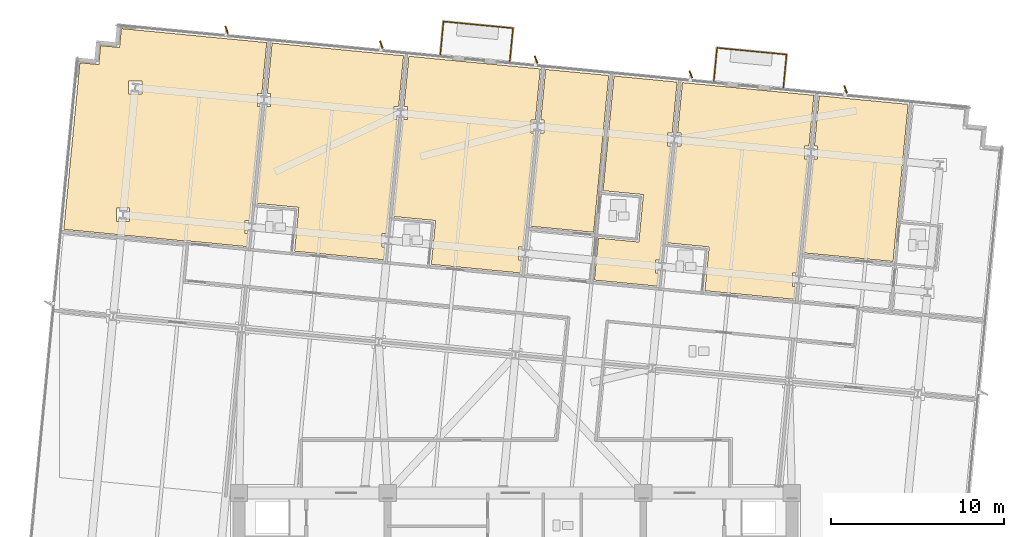
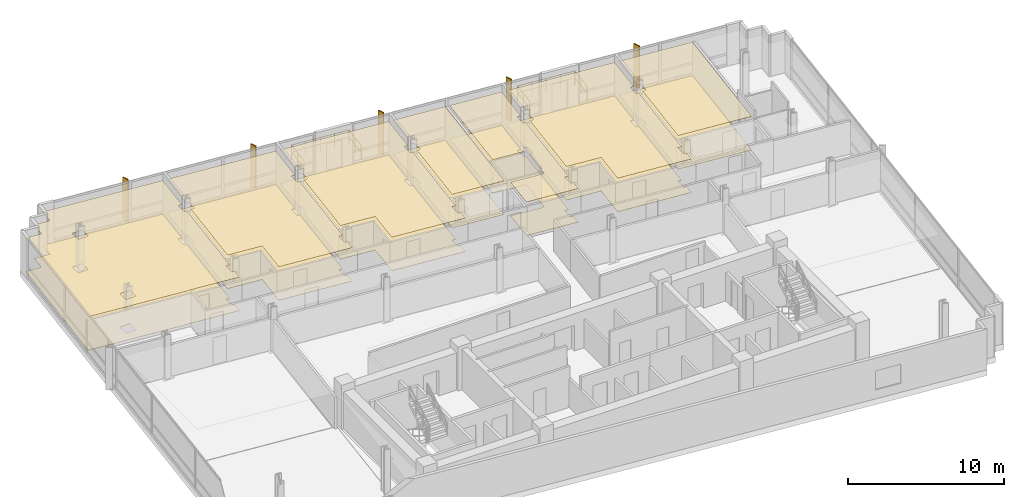
# One storey, part 17 of 18: 14 coverings, 6 railings, 5 shading devices.
"""IFC4 building model written with IfcOpenShell, lengths in metres."""

from ifc_helpers import new_model, si_unit, direction, frame, origin, origin_2d, place, context, subcontext, project, spatial, polyline, rectangle, circle, outline, extrude, material, layer, layer_set, type_object, element, save


model = new_model("IFC4")

# Units and contexts
model_context = context("Model", 3, precision=1e-05, world=origin(), true_north=direction((0.0, 1.0)))
body_context = subcontext(model_context, "Body", "Model", "MODEL_VIEW")
ifc_project = project(units=[si_unit("LENGTHUNIT", "METRE"), si_unit("AREAUNIT", "SQUARE_METRE"), si_unit("VOLUMEUNIT", "CUBIC_METRE"), si_unit("PLANEANGLEUNIT", "RADIAN"), si_unit("MASSUNIT", "GRAM", prefix="KILO")], contexts=[model_context])

# Site, building, storey
site_placement = place(None, origin())
site = spatial("IfcSite", under=ifc_project, at=site_placement, CompositionType="ELEMENT")
building_placement = place(site_placement, origin())
building = spatial("IfcBuilding", under=site, at=building_placement, Name="Solmavex Isthmus Hotel", CompositionType="ELEMENT")
storey_placement = place(building_placement, frame((0.0, 0.0, 135.89990234375)))
storey = spatial("IfcBuildingStorey", under=building, at=storey_placement, Name="L36", CompositionType="ELEMENT", Elevation=135.89990234375)

# Coverings
ifc_material_1 = material(Name="Gypsum plasterboard lining", Category="gypsum")
ifc_layer_1 = layer(ifc_material_1, 0.030029296875)
ifc_layer_set_1 = layer_set([ifc_layer_1], Name="Gypsum plasterboard lining")
covering_type_1 = type_object("IfcCoveringType", Name="COV-CEIL-GYP", PredefinedType="CEILING", material=ifc_layer_set_1)
covering_1_placement = place(storey_placement, frame((0.0, 0.0, 2.6201171875)))
element("IfcCovering", 1, at=covering_1_placement, inside=storey, type_object=covering_type_1, Name="Suspended Acoustic Ceiling L36-RM01", PredefinedType="CEILING", context=body_context, shape_type="SweptSolid", body=[
    extrude(outline(polyline([(-19.121337890625, 12.088623046875), (-19.119384765625, 12.1083984375), (-15.535888671875, 11.763427734375), (-15.463623046875, 12.51611328125), (-15.651123046875, 12.51611328125), (-15.651123046875, 13.276123046875), (-15.390380859375, 13.276123046875), (-14.755126953125, 19.874267578125), (-14.942626953125, 19.874267578125), (-14.942626953125, 20.63427734375), (-14.681884765625, 20.63427734375), (-14.3984375, 23.578857421875), (-21.99609375, 24.310302734375), (-22.8173828125, 24.389404296875), (-22.9228515625, 23.29443359375), (-24.017822265625, 23.39990234375), (-24.123291015625, 22.304931640625), (-25.218017578125, 22.410400390625), (-25.297119140625, 21.589111328125), (-26.14697265625, 12.764892578125), (-19.121337890625, 12.088623046875)]), holes=[polyline([(-22.396240234375, 20.591796875), (-22.396240234375, 21.351806640625), (-21.63623046875, 21.351806640625), (-21.63623046875, 20.591796875), (-22.396240234375, 20.591796875)]), polyline([(-23.104736328125, 13.23388671875), (-23.104736328125, 13.993896484375), (-22.3447265625, 13.993896484375), (-22.3447265625, 13.23388671875), (-23.104736328125, 13.23388671875)])]), origin(), (0.0, 0.0, 1.0), 0.030029296875),
])
covering_2_placement = place(storey_placement, frame((0.0, 0.0, 2.6201171875)))
element("IfcCovering", 2, at=covering_2_placement, inside=storey, type_object=covering_type_1, Name="Suspended Acoustic Ceiling L36-RM02", PredefinedType="CEILING", context=body_context, shape_type="SweptSolid", body=[
    extrude(outline(polyline([(-14.370361328125, 20.63427734375), (-14.1826171875, 20.63427734375), (-14.1826171875, 19.874267578125), (-14.443603515625, 19.874267578125), (-14.98291015625, 14.27197265625), (-12.544189453125, 14.037109375), (-12.788818359375, 11.498779296875), (-7.61669921875, 11.000732421875), (-7.544189453125, 11.753662109375), (-7.73193359375, 11.753662109375), (-7.73193359375, 12.513671875), (-7.470947265625, 12.513671875), (-6.835693359375, 19.111572265625), (-7.0234375, 19.111572265625), (-7.0234375, 19.87158203125), (-6.762451171875, 19.87158203125), (-6.47900390625, 22.816162109375), (-14.08984375, 23.549072265625), (-14.370361328125, 20.63427734375)])), origin(), (0.0, 0.0, 1.0), 0.030029296875),
])
covering_3_placement = place(storey_placement, frame((0.0, 0.0, 2.6201171875)))
element("IfcCovering", 3, at=covering_3_placement, inside=storey, type_object=covering_type_1, Name="Suspended Acoustic Ceiling L36-RM03", PredefinedType="CEILING", context=body_context, shape_type="SweptSolid", body=[
    extrude(outline(polyline([(-6.450927734375, 19.87158203125), (-6.263427734375, 19.87158203125), (-6.263427734375, 19.111572265625), (-6.524169921875, 19.111572265625), (-7.0146484375, 14.017822265625), (-7.063720703125, 13.50927734375), (-4.625, 13.274658203125), (-4.869384765625, 10.736328125), (0.302734375, 10.23828125), (0.375244140625, 10.9912109375), (0.1875, 10.9912109375), (0.1875, 11.751220703125), (0.448486328125, 11.751220703125), (1.083740234375, 18.34912109375), (0.89599609375, 18.34912109375), (0.89599609375, 19.109130859375), (1.156982421875, 19.109130859375), (1.4404296875, 22.0537109375), (-6.17041015625, 22.786376953125), (-6.450927734375, 19.87158203125)])), origin(), (0.0, 0.0, 1.0), 0.030029296875),
])
covering_4_placement = place(storey_placement, frame((0.0, 0.0, 2.6201171875)))
element("IfcCovering", 4, at=covering_4_placement, inside=storey, type_object=covering_type_1, Name="Suspended Acoustic Ceiling L36-SL04-BD", PredefinedType="CEILING", context=body_context, shape_type="SweptSolid", body=[
    extrude(outline(polyline([(1.46826171875, 19.109130859375), (1.656005859375, 19.109130859375), (1.656005859375, 18.34912109375), (1.395263671875, 18.34912109375), (0.875, 12.946044921875), (4.52587890625, 12.59423828125), (5.400146484375, 21.67236328125), (1.7490234375, 22.02392578125), (1.46826171875, 19.109130859375)])), origin(), (0.0, 0.0, 1.0), 0.030029296875),
])
covering_5_placement = place(storey_placement, frame((0.0, 0.0, 2.6201171875)))
element("IfcCovering", 5, at=covering_5_placement, inside=storey, type_object=covering_type_1, Name="Suspended Acoustic Ceiling L36-SV04", PredefinedType="CEILING", context=body_context, shape_type="SweptSolid", body=[
    extrude(outline(polyline([(5.0693359375, 15.00341796875), (7.40869140625, 14.778076171875), (7.14404296875, 12.03076171875), (4.804931640625, 12.256103515625), (4.571044921875, 9.827392578125), (4.7333984375, 9.811767578125), (5.606201171875, 9.7275390625), (8.22216796875, 9.475830078125), (8.294677734375, 10.228515625), (8.10693359375, 10.228515625), (8.10693359375, 10.988525390625), (8.36767578125, 10.988525390625), (9.003173828125, 17.586669921875), (8.8154296875, 17.586669921875), (8.8154296875, 18.346435546875), (9.076171875, 18.346435546875), (9.35986328125, 21.291015625), (5.708740234375, 21.642578125), (5.0693359375, 15.00341796875)])), origin(), (0.0, 0.0, 1.0), 0.030029296875),
])
covering_6_placement = place(storey_placement, frame((0.0, 0.0, 2.6201171875)))
element("IfcCovering", 6, at=covering_6_placement, inside=storey, type_object=covering_type_1, Name="Suspended Acoustic Ceiling L36-RM05", PredefinedType="CEILING", context=body_context, shape_type="SweptSolid", body=[
    extrude(outline(polyline([(9.3876953125, 18.346435546875), (9.575439453125, 18.346435546875), (9.575439453125, 17.586669921875), (9.314453125, 17.586669921875), (8.775146484375, 11.984375), (11.2138671875, 11.74951171875), (10.969482421875, 9.211181640625), (16.1416015625, 8.713134765625), (16.2138671875, 9.466064453125), (16.0263671875, 9.466064453125), (16.0263671875, 10.22607421875), (16.287109375, 10.22607421875), (16.92236328125, 16.823974609375), (16.73486328125, 16.823974609375), (16.73486328125, 17.583984375), (16.99560546875, 17.583984375), (17.279052734375, 20.528564453125), (9.66845703125, 21.261474609375), (9.3876953125, 18.346435546875)])), origin(), (0.0, 0.0, 1.0), 0.030029296875),
])
covering_7_placement = place(storey_placement, frame((0.0, 0.0, 2.6201171875)))
element("IfcCovering", 7, at=covering_7_placement, inside=storey, type_object=covering_type_1, Name="Suspended Acoustic Ceiling L36-SL06-BD", PredefinedType="CEILING", context=body_context, shape_type="SweptSolid", body=[
    extrude(outline(polyline([(17.30712890625, 17.583984375), (17.494873046875, 17.583984375), (17.494873046875, 16.823974609375), (17.23388671875, 16.823974609375), (17.139404296875, 15.841552734375), (16.711669921875, 11.40087890625), (21.86181640625, 10.905029296875), (22.738037109375, 20.0029296875), (17.587646484375, 20.498779296875), (17.30712890625, 17.583984375)])), origin(), (0.0, 0.0, 1.0), 0.030029296875),
])
ifc_material_2 = material(Name="Travertine natural stone", Category="masonry")
ifc_layer_2 = layer(ifc_material_2, 0.02490234375)
ifc_layer_set_2 = layer_set([ifc_layer_2], Name="Travertine natural stone")
covering_type_2 = type_object("IfcCoveringType", Name="COV-FLOR-STN", PredefinedType="FLOORING", material=ifc_layer_set_2)
covering_8_placement = place(storey_placement, origin())
element("IfcCovering", 8, at=covering_8_placement, inside=storey, type_object=covering_type_2, Name="Stone and Timber Floor Finish L36-RM01", PredefinedType="FLOORING", context=body_context, shape_type="SweptSolid", body=[
    extrude(outline(polyline([(-19.121337890625, 12.088623046875), (-19.119384765625, 12.1083984375), (-15.535888671875, 11.763427734375), (-15.463623046875, 12.51611328125), (-15.651123046875, 12.51611328125), (-15.651123046875, 13.276123046875), (-15.390380859375, 13.276123046875), (-14.755126953125, 19.874267578125), (-14.942626953125, 19.874267578125), (-14.942626953125, 20.63427734375), (-14.681884765625, 20.63427734375), (-14.3984375, 23.578857421875), (-21.99609375, 24.310302734375), (-22.8173828125, 24.389404296875), (-22.9228515625, 23.29443359375), (-24.017822265625, 23.39990234375), (-24.123291015625, 22.304931640625), (-25.218017578125, 22.410400390625), (-25.297119140625, 21.589111328125), (-26.14697265625, 12.764892578125), (-19.121337890625, 12.088623046875)]), holes=[polyline([(-22.396240234375, 20.591796875), (-22.396240234375, 21.351806640625), (-21.63623046875, 21.351806640625), (-21.63623046875, 20.591796875), (-22.396240234375, 20.591796875)]), polyline([(-23.104736328125, 13.23388671875), (-23.104736328125, 13.993896484375), (-22.3447265625, 13.993896484375), (-22.3447265625, 13.23388671875), (-23.104736328125, 13.23388671875)])]), origin(), (0.0, 0.0, 1.0), 0.025146484375),
])
covering_9_placement = place(storey_placement, origin())
element("IfcCovering", 9, at=covering_9_placement, inside=storey, type_object=covering_type_2, Name="Stone and Timber Floor Finish L36-RM02", PredefinedType="FLOORING", context=body_context, shape_type="SweptSolid", body=[
    extrude(outline(polyline([(-14.370361328125, 20.63427734375), (-14.1826171875, 20.63427734375), (-14.1826171875, 19.874267578125), (-14.443603515625, 19.874267578125), (-14.98291015625, 14.27197265625), (-12.544189453125, 14.037109375), (-12.788818359375, 11.498779296875), (-7.61669921875, 11.000732421875), (-7.544189453125, 11.753662109375), (-7.73193359375, 11.753662109375), (-7.73193359375, 12.513671875), (-7.470947265625, 12.513671875), (-6.835693359375, 19.111572265625), (-7.0234375, 19.111572265625), (-7.0234375, 19.87158203125), (-6.762451171875, 19.87158203125), (-6.47900390625, 22.816162109375), (-14.08984375, 23.549072265625), (-14.370361328125, 20.63427734375)])), origin(), (0.0, 0.0, 1.0), 0.025146484375),
])
covering_10_placement = place(storey_placement, origin())
element("IfcCovering", 10, at=covering_10_placement, inside=storey, type_object=covering_type_2, Name="Stone and Timber Floor Finish L36-RM03", PredefinedType="FLOORING", context=body_context, shape_type="SweptSolid", body=[
    extrude(outline(polyline([(-6.450927734375, 19.87158203125), (-6.263427734375, 19.87158203125), (-6.263427734375, 19.111572265625), (-6.524169921875, 19.111572265625), (-7.0146484375, 14.017822265625), (-7.063720703125, 13.50927734375), (-4.625, 13.274658203125), (-4.869384765625, 10.736328125), (0.302734375, 10.23828125), (0.375244140625, 10.9912109375), (0.1875, 10.9912109375), (0.1875, 11.751220703125), (0.448486328125, 11.751220703125), (1.083740234375, 18.34912109375), (0.89599609375, 18.34912109375), (0.89599609375, 19.109130859375), (1.156982421875, 19.109130859375), (1.4404296875, 22.0537109375), (-6.17041015625, 22.786376953125), (-6.450927734375, 19.87158203125)])), origin(), (0.0, 0.0, 1.0), 0.025146484375),
])
covering_11_placement = place(storey_placement, origin())
element("IfcCovering", 11, at=covering_11_placement, inside=storey, type_object=covering_type_2, Name="Stone and Timber Floor Finish L36-SL04-BD", PredefinedType="FLOORING", context=body_context, shape_type="SweptSolid", body=[
    extrude(outline(polyline([(1.46826171875, 19.109130859375), (1.656005859375, 19.109130859375), (1.656005859375, 18.34912109375), (1.395263671875, 18.34912109375), (0.875, 12.946044921875), (4.52587890625, 12.59423828125), (5.400146484375, 21.67236328125), (1.7490234375, 22.02392578125), (1.46826171875, 19.109130859375)])), origin(), (0.0, 0.0, 1.0), 0.025146484375),
])
covering_12_placement = place(storey_placement, origin())
element("IfcCovering", 12, at=covering_12_placement, inside=storey, type_object=covering_type_2, Name="Stone and Timber Floor Finish L36-SV04", PredefinedType="FLOORING", context=body_context, shape_type="SweptSolid", body=[
    extrude(outline(polyline([(5.0693359375, 15.00341796875), (7.40869140625, 14.778076171875), (7.14404296875, 12.03076171875), (4.804931640625, 12.256103515625), (4.571044921875, 9.827392578125), (4.7333984375, 9.811767578125), (5.606201171875, 9.7275390625), (8.22216796875, 9.475830078125), (8.294677734375, 10.228515625), (8.10693359375, 10.228515625), (8.10693359375, 10.988525390625), (8.36767578125, 10.988525390625), (9.003173828125, 17.586669921875), (8.8154296875, 17.586669921875), (8.8154296875, 18.346435546875), (9.076171875, 18.346435546875), (9.35986328125, 21.291015625), (5.708740234375, 21.642578125), (5.0693359375, 15.00341796875)])), origin(), (0.0, 0.0, 1.0), 0.025146484375),
])
covering_13_placement = place(storey_placement, origin())
element("IfcCovering", 13, at=covering_13_placement, inside=storey, type_object=covering_type_2, Name="Stone and Timber Floor Finish L36-RM05", PredefinedType="FLOORING", context=body_context, shape_type="SweptSolid", body=[
    extrude(outline(polyline([(9.3876953125, 18.346435546875), (9.575439453125, 18.346435546875), (9.575439453125, 17.586669921875), (9.314453125, 17.586669921875), (8.775146484375, 11.984375), (11.2138671875, 11.74951171875), (10.969482421875, 9.211181640625), (16.1416015625, 8.713134765625), (16.2138671875, 9.466064453125), (16.0263671875, 9.466064453125), (16.0263671875, 10.22607421875), (16.287109375, 10.22607421875), (16.92236328125, 16.823974609375), (16.73486328125, 16.823974609375), (16.73486328125, 17.583984375), (16.99560546875, 17.583984375), (17.279052734375, 20.528564453125), (9.66845703125, 21.261474609375), (9.3876953125, 18.346435546875)])), origin(), (0.0, 0.0, 1.0), 0.025146484375),
])
covering_14_placement = place(storey_placement, origin())
element("IfcCovering", 14, at=covering_14_placement, inside=storey, type_object=covering_type_2, Name="Stone and Timber Floor Finish L36-SL06-BD", PredefinedType="FLOORING", context=body_context, shape_type="SweptSolid", body=[
    extrude(outline(polyline([(17.30712890625, 17.583984375), (17.494873046875, 17.583984375), (17.494873046875, 16.823974609375), (17.23388671875, 16.823974609375), (17.139404296875, 15.841552734375), (16.711669921875, 11.40087890625), (21.86181640625, 10.905029296875), (22.738037109375, 20.0029296875), (17.587646484375, 20.498779296875), (17.30712890625, 17.583984375)])), origin(), (0.0, 0.0, 1.0), 0.025146484375),
])

# Railings
ifc_material_3 = material(Name="Clear low-E laminated glass", Category="glass")
ifc_layer_3 = layer(ifc_material_3, 0.070068359375)
ifc_layer_set_3 = layer_set([ifc_layer_3], Name="Clear low-E laminated glass")
railing_type = type_object("IfcRailingType", Name="RAIL-GUARD-1100", PredefinedType="BALUSTRADE", material=ifc_layer_set_3)
railing_1_placement = place(storey_placement, frame((-4.349365234375, 22.887451171875, 0.0)))
element("IfcRailing", 15, at=railing_1_placement, inside=storey, type_object=railing_type, Name="Guardrail Balustrade L36-BAL1-01", PredefinedType="BALUSTRADE", context=body_context, shape_type="SweptSolid", body=[
    extrude(circle(Radius=0.02392578125, at=origin_2d()), frame((0.0, 0.0, 1.09619140625), z_axis=(0.095877165628, 0.995393173129, 0.0), x_axis=(-0.995393173129, 0.095877165628, 0.0)), (0.0, 0.0, 1.0), 1.919921875),
    extrude(circle(Radius=0.02392578125, at=origin_2d()), frame((0.0, 0.0, 0.56005859375), z_axis=(0.095877165628, 0.995393173129, 0.0), x_axis=(-0.995393173129, 0.095877165628, 0.0)), (0.0, 0.0, 1.0), 1.919921875),
    extrude(circle(Radius=0.02099609375, at=origin_2d()), origin(), (0.0, 0.0, 1.0), 1.072021484375),
    extrude(circle(Radius=0.02099609375, at=origin_2d()), frame((0.092041015625, 0.95556640625, 0.0)), (0.0, 0.0, 1.0), 1.072021484375),
    extrude(circle(Radius=0.02099609375, at=origin_2d()), frame((0.18408203125, 1.9111328125, 0.0)), (0.0, 0.0, 1.0), 1.072021484375),
])
railing_2_placement = place(storey_placement, frame((-4.165283203125, 24.798583984375, 0.0)))
element("IfcRailing", 16, at=railing_2_placement, inside=storey, type_object=railing_type, Name="Guardrail Balustrade L36-BAL1-02", PredefinedType="BALUSTRADE", context=body_context, shape_type="SweptSolid", body=[
    extrude(circle(Radius=0.02392578125, at=origin_2d()), frame((0.0, 0.0, 1.09619140625), z_axis=(0.995396620385, -0.095841369593, 0.0), x_axis=(0.095841369593, 0.995396620385, 0.0)), (0.0, 0.0, 1.0), 4.0400390625),
    extrude(circle(Radius=0.02392578125, at=origin_2d()), frame((0.0, 0.0, 0.56005859375), z_axis=(0.995396620385, -0.095841369593, 0.0), x_axis=(0.095841369593, 0.995396620385, 0.0)), (0.0, 0.0, 1.0), 4.0400390625),
    extrude(circle(Radius=0.02099609375, at=origin_2d()), origin(), (0.0, 0.0, 1.0), 1.072021484375),
    extrude(circle(Radius=0.02099609375, at=origin_2d()), frame((1.00537109375, -0.0966796875, 0.0)), (0.0, 0.0, 1.0), 1.072021484375),
    extrude(circle(Radius=0.02099609375, at=origin_2d()), frame((2.0107421875, -0.193603515625, 0.0)), (0.0, 0.0, 1.0), 1.072021484375),
    extrude(circle(Radius=0.02099609375, at=origin_2d()), frame((3.01611328125, -0.29052734375, 0.0)), (0.0, 0.0, 1.0), 1.072021484375),
    extrude(circle(Radius=0.02099609375, at=origin_2d()), frame((4.021484375, -0.38720703125, 0.0)), (0.0, 0.0, 1.0), 1.072021484375),
])
railing_3_placement = place(storey_placement, frame((-0.143798828125, 24.411376953125, 0.0)))
element("IfcRailing", 17, at=railing_3_placement, inside=storey, type_object=railing_type, Name="Guardrail Balustrade L36-BAL1-03", PredefinedType="BALUSTRADE", context=body_context, shape_type="SweptSolid", body=[
    extrude(circle(Radius=0.02392578125, at=origin_2d()), frame((0.0, 0.0, 1.09619140625), z_axis=(-0.095877165628, -0.995393173129, 0.0), x_axis=(0.995393173129, -0.095877165628, 0.0)), (0.0, 0.0, 1.0), 1.919921875),
    extrude(circle(Radius=0.02392578125, at=origin_2d()), frame((0.0, 0.0, 0.56005859375), z_axis=(-0.095877165628, -0.995393173129, 0.0), x_axis=(0.995393173129, -0.095877165628, 0.0)), (0.0, 0.0, 1.0), 1.919921875),
    extrude(circle(Radius=0.02099609375, at=origin_2d()), origin(), (0.0, 0.0, 1.0), 1.072021484375),
    extrude(circle(Radius=0.02099609375, at=origin_2d()), frame((-0.092041015625, -0.95556640625, 0.0)), (0.0, 0.0, 1.0), 1.072021484375),
    extrude(circle(Radius=0.02099609375, at=origin_2d()), frame((-0.18408203125, -1.9111328125, 0.0)), (0.0, 0.0, 1.0), 1.072021484375),
])
railing_4_placement = place(storey_placement, frame((11.489501953125, 21.3623046875, 0.0)))
element("IfcRailing", 18, at=railing_4_placement, inside=storey, type_object=railing_type, Name="Guardrail Balustrade L36-BAL2-01", PredefinedType="BALUSTRADE", context=body_context, shape_type="SweptSolid", body=[
    extrude(circle(Radius=0.02392578125, at=origin_2d()), frame((0.0, 0.0, 1.09619140625), z_axis=(0.095751174172, 0.995405300691, 0.0), x_axis=(-0.995405300691, 0.095751174172, 0.0)), (0.0, 0.0, 1.0), 1.919921875),
    extrude(circle(Radius=0.02392578125, at=origin_2d()), frame((0.0, 0.0, 0.56005859375), z_axis=(0.095751174172, 0.995405300691, 0.0), x_axis=(-0.995405300691, 0.095751174172, 0.0)), (0.0, 0.0, 1.0), 1.919921875),
    extrude(circle(Radius=0.02099609375, at=origin_2d()), origin(), (0.0, 0.0, 1.0), 1.072021484375),
    extrude(circle(Radius=0.02099609375, at=origin_2d()), frame((0.091796875, 0.95556640625, 0.0)), (0.0, 0.0, 1.0), 1.072021484375),
    extrude(circle(Radius=0.02099609375, at=origin_2d()), frame((0.183837890625, 1.9111328125, 0.0)), (0.0, 0.0, 1.0), 1.072021484375),
])
railing_5_placement = place(storey_placement, frame((11.67333984375, 23.2734375, 0.0)))
element("IfcRailing", 19, at=railing_5_placement, inside=storey, type_object=railing_type, Name="Guardrail Balustrade L36-BAL2-02", PredefinedType="BALUSTRADE", context=body_context, shape_type="SweptSolid", body=[
    extrude(circle(Radius=0.02392578125, at=origin_2d()), frame((0.0, 0.0, 1.09619140625), z_axis=(0.995396620385, -0.095841369593, 0.0), x_axis=(0.095841369593, 0.995396620385, 0.0)), (0.0, 0.0, 1.0), 4.0400390625),
    extrude(circle(Radius=0.02392578125, at=origin_2d()), frame((0.0, 0.0, 0.56005859375), z_axis=(0.995396620385, -0.095841369593, 0.0), x_axis=(0.095841369593, 0.995396620385, 0.0)), (0.0, 0.0, 1.0), 4.0400390625),
    extrude(circle(Radius=0.02099609375, at=origin_2d()), origin(), (0.0, 0.0, 1.0), 1.072021484375),
    extrude(circle(Radius=0.02099609375, at=origin_2d()), frame((1.00537109375, -0.0966796875, 0.0)), (0.0, 0.0, 1.0), 1.072021484375),
    extrude(circle(Radius=0.02099609375, at=origin_2d()), frame((2.0107421875, -0.193603515625, 0.0)), (0.0, 0.0, 1.0), 1.072021484375),
    extrude(circle(Radius=0.02099609375, at=origin_2d()), frame((3.01611328125, -0.29052734375, 0.0)), (0.0, 0.0, 1.0), 1.072021484375),
    extrude(circle(Radius=0.02099609375, at=origin_2d()), frame((4.021484375, -0.38720703125, 0.0)), (0.0, 0.0, 1.0), 1.072021484375),
])
railing_6_placement = place(storey_placement, frame((15.69482421875, 22.88623046875, 0.0)))
element("IfcRailing", 20, at=railing_6_placement, inside=storey, type_object=railing_type, Name="Guardrail Balustrade L36-BAL2-03", PredefinedType="BALUSTRADE", context=body_context, shape_type="SweptSolid", body=[
    extrude(circle(Radius=0.02392578125, at=origin_2d()), frame((0.0, 0.0, 1.09619140625), z_axis=(-0.095877165628, -0.995393173129, 0.0), x_axis=(0.995393173129, -0.095877165628, 0.0)), (0.0, 0.0, 1.0), 1.919921875),
    extrude(circle(Radius=0.02392578125, at=origin_2d()), frame((0.0, 0.0, 0.56005859375), z_axis=(-0.095877165628, -0.995393173129, 0.0), x_axis=(0.995393173129, -0.095877165628, 0.0)), (0.0, 0.0, 1.0), 1.919921875),
    extrude(circle(Radius=0.02099609375, at=origin_2d()), origin(), (0.0, 0.0, 1.0), 1.072021484375),
    extrude(circle(Radius=0.02099609375, at=origin_2d()), frame((-0.092041015625, -0.95556640625, 0.0)), (0.0, 0.0, 1.0), 1.072021484375),
    extrude(circle(Radius=0.02099609375, at=origin_2d()), frame((-0.18408203125, -1.9111328125, 0.0)), (0.0, 0.0, 1.0), 1.072021484375),
])

# Shading devices
ifc_material_4 = material(Name="Aluminium alloy 6063-T6", Category="aluminium")
shading_device_type = type_object("IfcShadingDeviceType", Name="SHD-FIN-BRONZE", PredefinedType="USERDEFINED", material=ifc_material_4)
for number, where, z_axis, x_axis, name in (
    (21, (-16.720947265625, 24.31982421875, -0.139892578125), (0.0, 0.0, 1.0), (-0.350207381259, 0.936672189248, 0.0), "Anodised Aluminium Solar Fin L36-N1"),
    (22, (-7.762451171875, 23.457275390625, -0.139892578125), (0.0, 0.0, 1.0), (-0.350207381259, 0.936672189248, 0.0), "Anodised Aluminium Solar Fin L36-N2"),
    (23, (1.196044921875, 22.594482421875, -0.139892578125), (0.0, 0.0, 1.0), (-0.350207381259, 0.936672189248, 0.0), "Anodised Aluminium Solar Fin L36-N3"),
    (24, (10.15478515625, 21.73193359375, -0.139892578125), (0.0, 0.0, 1.0), (-0.350207381259, 0.936672189248, 0.0), "Anodised Aluminium Solar Fin L36-N4"),
    (25, (19.11328125, 20.869384765625, -0.139892578125), (0.0, 0.0, 1.0), (-0.350207381259, 0.936672189248, 0.0), "Anodised Aluminium Solar Fin L36-N5"),
):
    element("IfcShadingDevice", number, at=place(storey_placement, frame(where, z_axis=z_axis, x_axis=x_axis)), inside=storey, type_object=shading_device_type, Name=name, ObjectType="SOLAR_FIN", PredefinedType="USERDEFINED", context=body_context, shape_type="SweptSolid", body=[
        extrude(rectangle(XDim=0.449951171875, YDim=0.080078125, at=origin_2d()), origin(), (0.0, 0.0, 1.0), 3.330078125),
    ])

save(model, "model.ifc")
